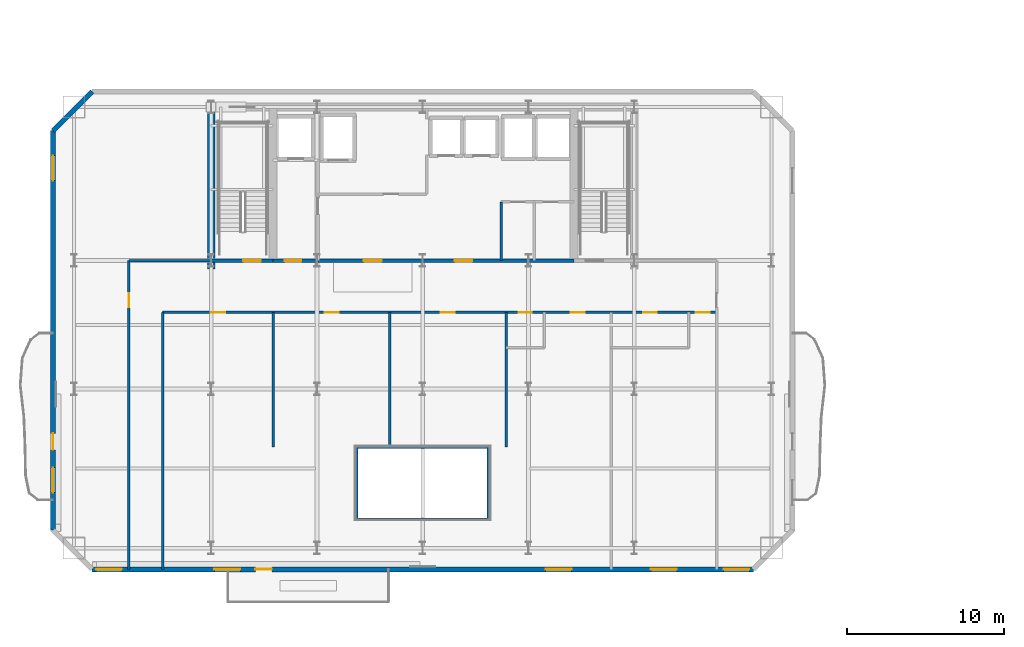
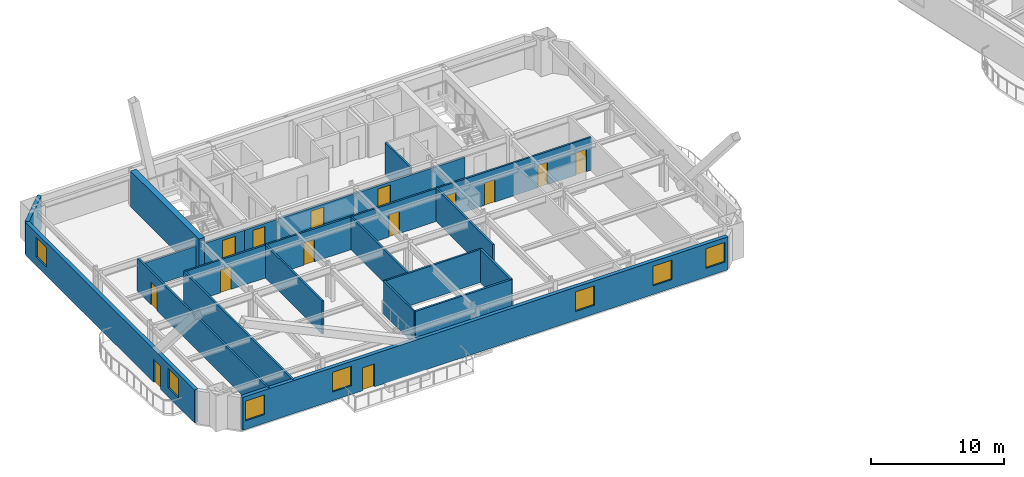
# One storey, part 5 of 15: 19 walls, 14 doors, 7 windows, 21 openings.
"""IFC4 building model written with IfcOpenShell, lengths in metres."""

from ifc_helpers import new_model, si_unit, direction, frame, frame_2d, origin, place, context, subcontext, project, spatial, rectangle, extrude, material, layer, layer_set, type_object, element, fill, save


model = new_model("IFC4")

# Units and contexts
model_context = context("Model", 3, precision=1e-05, world=origin(), true_north=direction((0.0, 1.0)))
body_context = subcontext(model_context, "Body", "Model", "MODEL_VIEW")
ifc_project = project(units=[si_unit("LENGTHUNIT", "METRE"), si_unit("AREAUNIT", "SQUARE_METRE"), si_unit("VOLUMEUNIT", "CUBIC_METRE"), si_unit("PLANEANGLEUNIT", "RADIAN"), si_unit("MASSUNIT", "GRAM", prefix="KILO")], contexts=[model_context])

# Site, building, storey
site_placement = place(None, origin())
site = spatial("IfcSite", under=ifc_project, at=site_placement, CompositionType="ELEMENT")
building_placement = place(site_placement, origin())
building = spatial("IfcBuilding", under=site, at=building_placement, Name="Haevon Station Towers", CompositionType="ELEMENT")
storey_placement = place(building_placement, frame((0.0, 0.0, 103.199951171875)))
storey = spatial("IfcBuildingStorey", under=building, at=storey_placement, Name="L27", CompositionType="ELEMENT", Elevation=103.199951171875)

# Walls
ifc_material_1 = material(Name="Gypsum board on steel stud", Category="steel")
ifc_layer_1 = layer(ifc_material_1, 0.179931640625)
ifc_layer_set_1 = layer_set([ifc_layer_1], Name="Gypsum board on steel stud")
wall_type_1 = type_object("IfcWallType", Name="WL-ACU180", PredefinedType="PARTITIONING", material=ifc_layer_set_1)
wall_1_placement = place(storey_placement, frame((33.300048828125, 21.699951171875, 0.0), z_axis=(0.0, 0.0, 1.0), x_axis=(1.0, 0.0, 0.0)))
element("IfcWall", 1, at=wall_1_placement, inside=storey, type_object=wall_type_1, Name="WL-T1PT-L27-06", PredefinedType="PARTITIONING", context=body_context, shape_type="SweptSolid", body=[
    extrude(rectangle(XDim=8.39990234375, YDim=0.179931640625, at=frame_2d((4.199951171875, 0.0))), origin(), (0.0, 0.0, 1.0), 3.030029296875),
])
wall_2_placement = place(storey_placement, frame((41.699951171875, 21.699951171875, 0.0), z_axis=(0.0, 0.0, 1.0), x_axis=(0.0, 1.0, 0.0)))
element("IfcWall", 2, at=wall_2_placement, inside=storey, type_object=wall_type_1, Name="WL-T1PT-L27-09", PredefinedType="PARTITIONING", context=body_context, shape_type="SweptSolid", body=[
    extrude(rectangle(XDim=4.60009765625, YDim=0.179931640625, at=frame_2d((2.300048828125, 0.0))), origin(), (0.0, 0.0, 1.0), 3.030029296875),
])

# Wall, opening, door
ifc_layer_2 = layer(ifc_material_1, 0.199951171875)
ifc_layer_set_2 = layer_set([ifc_layer_2], Name="Gypsum board on steel stud")
wall_type_2 = type_object("IfcWallType", Name="WL-COR200", PredefinedType="PARTITIONING", material=ifc_layer_set_2)
wall_3_placement = place(storey_placement, frame((24.0, 38.199951171875, 0.0), z_axis=(0.0, 0.0, 1.0), x_axis=(1.0, 0.0, 0.0)))
wall_3 = element("IfcWall", 3, at=wall_3_placement, inside=storey, type_object=wall_type_2, Name="WL-ST-ST1-L27", PredefinedType="PARTITIONING", context=body_context, shape_type="SweptSolid", body=[
    extrude(rectangle(XDim=3.949951171875, YDim=0.199951171875, at=frame_2d((1.97509765625, 0.0))), origin(), (0.0, 0.0, 1.0), 2.380126953125),
])
opening_1_placement = place(wall_3_placement, frame((2.050048828125, 0.0, 0.0)))
opening_1 = element("IfcOpeningElement", 4, at=opening_1_placement, cuts=wall_3, Name="Opening DR-ST-ST1-L27", PredefinedType="OPENING", context=body_context, shape_type="SweptSolid", body=[
    extrude(rectangle(XDim=1.1201171875, YDim=2.10009765625, at=frame_2d((0.56005859375, 1.050048828125))), frame((0.0, 0.10986328125, 0.0), z_axis=(0.0, -1.0, 0.0), x_axis=(1.0, 0.0, 0.0)), (0.0, 0.0, 1.0), 0.219970703125),
])
ifc_material_2 = material(Name="Engineered oak timber", Category="wood")
door_type_1 = type_object("IfcDoorType", Name="DR-ST-1120", OperationType="NOTDEFINED", PredefinedType="DOOR", material=ifc_material_2)
door_1_placement = place(opening_1_placement, origin())
door_1 = element("IfcDoor", 5, at=door_1_placement, inside=storey, type_object=door_type_1, Name="L27 Escape Stair ST1 Fire Door", OperationType="SINGLE_SWING_RIGHT", OverallHeight=2.10009765625, OverallWidth=1.1201171875, PredefinedType="DOOR", context=body_context, shape_type="SweptSolid", body=[
    extrude(rectangle(XDim=1.1201171875, YDim=2.10009765625, at=frame_2d((0.56005859375, 1.050048828125))), frame((0.0, 0.02490234375, 0.0), z_axis=(0.0, -1.0, 0.0), x_axis=(1.0, 0.0, 0.0)), (0.0, 0.0, 1.0), 0.050048828125),
])
fill(opening_1, door_1)

wall_4_placement = place(storey_placement, frame((27.949951171875, 38.199951171875, 0.0), z_axis=(0.0, 0.0, 1.0), x_axis=(1.0, 0.0, 0.0)))
wall_4 = element("IfcWall", 6, at=wall_4_placement, inside=storey, type_object=wall_type_2, Name="WL-T1FFL-L27-S", PredefinedType="PARTITIONING", context=body_context, shape_type="SweptSolid", body=[
    extrude(rectangle(XDim=2.85009765625, YDim=0.199951171875, at=frame_2d((1.425048828125, 0.0))), origin(), (0.0, 0.0, 1.0), 2.380126953125),
])
opening_2_placement = place(wall_4_placement, frame((0.75, 0.0, 0.0)))
opening_2 = element("IfcOpeningElement", 7, at=opening_2_placement, cuts=wall_4, Name="Opening DR-T1FFL-L27-S", PredefinedType="OPENING", context=body_context, shape_type="SweptSolid", body=[
    extrude(rectangle(XDim=1.050048828125, YDim=2.10009765625, at=frame_2d((0.52490234375, 1.050048828125))), frame((0.0, 0.10986328125, 0.0), z_axis=(0.0, -1.0, 0.0), x_axis=(1.0, 0.0, 0.0)), (0.0, 0.0, 1.0), 0.219970703125),
])
door_type_2 = type_object("IfcDoorType", Name="DR-FD60-1050", OperationType="NOTDEFINED", PredefinedType="DOOR", material=ifc_material_2)
door_2_placement = place(opening_2_placement, origin())
door_2 = element("IfcDoor", 8, at=door_2_placement, inside=storey, type_object=door_type_2, Name="L27 Tower 1 Firefighting Lift Lobby Door S", OperationType="SINGLE_SWING_LEFT", OverallHeight=2.10009765625, OverallWidth=1.050048828125, PredefinedType="DOOR", context=body_context, shape_type="SweptSolid", body=[
    extrude(rectangle(XDim=1.050048828125, YDim=2.10009765625, at=frame_2d((0.52490234375, 1.050048828125))), frame((0.0, 0.02490234375, 0.0), z_axis=(0.0, -1.0, 0.0), x_axis=(1.0, 0.0, 0.0)), (0.0, 0.0, 1.0), 0.050048828125),
])
fill(opening_2, door_2)

# Wall, openings, doors
wall_5_placement = place(storey_placement, frame((30.800048828125, 38.199951171875, 0.0), z_axis=(0.0, 0.0, 1.0), x_axis=(1.0, 0.0, 0.0)))
wall_5 = element("IfcWall", 9, at=wall_5_placement, inside=storey, type_object=wall_type_2, Name="WL-T1CLB-L27", PredefinedType="PARTITIONING", context=body_context, shape_type="SweptSolid", body=[
    extrude(rectangle(XDim=16.349853515625, YDim=0.199951171875, at=frame_2d((8.1748046875, 0.0))), origin(), (0.0, 0.0, 1.0), 2.380126953125),
])
opening_3_placement = place(wall_5_placement, frame((2.949951171875, 0.0, 0.0)))
opening_3 = element("IfcOpeningElement", 10, at=opening_3_placement, cuts=wall_5, Name="Opening DR-T1CLB-L27-1", PredefinedType="OPENING", context=body_context, shape_type="SweptSolid", body=[
    extrude(rectangle(XDim=1.1201171875, YDim=2.10009765625, at=frame_2d((0.56005859375, 1.050048828125))), frame((0.0, 0.10986328125, 0.0), z_axis=(0.0, -1.0, 0.0), x_axis=(1.0, 0.0, 0.0)), (0.0, 0.0, 1.0), 0.219970703125),
])
opening_4_placement = place(wall_5_placement, frame((8.75, 0.0, 0.0)))
opening_4 = element("IfcOpeningElement", 11, at=opening_4_placement, cuts=wall_5, Name="Opening DR-T1CLB-L27-2", PredefinedType="OPENING", context=body_context, shape_type="SweptSolid", body=[
    extrude(rectangle(XDim=1.1201171875, YDim=2.10009765625, at=frame_2d((0.56005859375, 1.050048828125))), frame((0.0, 0.10986328125, 0.0), z_axis=(0.0, -1.0, 0.0), x_axis=(1.0, 0.0, 0.0)), (0.0, 0.0, 1.0), 0.219970703125),
])
door_3_placement = place(opening_3_placement, origin())
door_3 = element("IfcDoor", 12, at=door_3_placement, inside=storey, type_object=door_type_1, Name="L27 Tower 1 Core Lift Lobby Door 1", OperationType="SINGLE_SWING_RIGHT", OverallHeight=2.10009765625, OverallWidth=1.1201171875, PredefinedType="DOOR", context=body_context, shape_type="SweptSolid", body=[
    extrude(rectangle(XDim=1.1201171875, YDim=2.10009765625, at=frame_2d((0.56005859375, 1.050048828125))), frame((0.0, 0.02490234375, 0.0), z_axis=(0.0, -1.0, 0.0), x_axis=(1.0, 0.0, 0.0)), (0.0, 0.0, 1.0), 0.050048828125),
])
fill(opening_3, door_3)
door_4_placement = place(opening_4_placement, origin())
door_4 = element("IfcDoor", 13, at=door_4_placement, inside=storey, type_object=door_type_1, Name="L27 Tower 1 Core Lift Lobby Door 2", OperationType="SINGLE_SWING_LEFT", OverallHeight=2.10009765625, OverallWidth=1.1201171875, PredefinedType="DOOR", context=body_context, shape_type="SweptSolid", body=[
    extrude(rectangle(XDim=1.1201171875, YDim=2.10009765625, at=frame_2d((0.56005859375, 1.050048828125))), frame((0.0, 0.02490234375, 0.0), z_axis=(0.0, -1.0, 0.0), x_axis=(1.0, 0.0, 0.0)), (0.0, 0.0, 1.0), 0.050048828125),
])
fill(opening_4, door_4)

# Wall
ifc_material_3 = material(Name="Concrete C60/75", Category="concrete")
ifc_layer_3 = layer(ifc_material_3, 0.5)
ifc_layer_set_3 = layer_set([ifc_layer_3], Name="Concrete C60/75")
wall_type_3 = type_object("IfcWallType", Name="WL-CR500", PredefinedType="SHEAR", material=ifc_layer_set_3)
wall_6_placement = place(storey_placement, frame((24.0, 37.679931640625, 0.0), z_axis=(0.0, 0.0, 1.0), x_axis=(0.0, 1.0, 0.0)))
element("IfcWall", 14, at=wall_6_placement, inside=storey, type_object=wall_type_3, Name="WL-T1CR-L27-W", PredefinedType="SHEAR", context=body_context, shape_type="SweptSolid", body=[
    extrude(rectangle(XDim=10.320068359375, YDim=0.5, at=frame_2d((5.16015625, 0.0))), origin(), (0.0, 0.0, 1.0), 3.300048828125),
])

# Wall, openings, door, windows
ifc_material_4 = material(Name="Precast concrete C45/55", Category="concrete")
ifc_layer_4 = layer(ifc_material_4, 0.320068359375)
ifc_layer_set_4 = layer_set([ifc_layer_4], Name="Precast concrete C45/55")
wall_type_4 = type_object("IfcWallType", Name="WL-EXT-PIER320", PredefinedType="SOLIDWALL", material=ifc_layer_set_4)
wall_7_placement = place(storey_placement, frame((58.60009765625, 18.5, 0.0), z_axis=(0.0, 0.0, 1.0), x_axis=(-1.0, 0.0, 0.0)))
wall_7 = element("IfcWall", 15, at=wall_7_placement, inside=storey, type_object=wall_type_4, Name="WL-T1-L27-S", PredefinedType="SOLIDWALL", context=body_context, shape_type="SweptSolid", body=[
    extrude(rectangle(XDim=42.2001953125, YDim=0.320068359375, at=frame_2d((21.10009765625, 0.0))), origin(), (0.0, 0.0, 1.0), 3.030029296875),
])
opening_5_placement = place(wall_7_placement, frame((30.734375, 0.0, 0.0)))
opening_5 = element("IfcOpeningElement", 16, at=opening_5_placement, cuts=wall_7, Name="Opening DR-T1-PBAND-L27-1", PredefinedType="OPENING", context=body_context, shape_type="SweptSolid", body=[
    extrude(rectangle(XDim=1.050048828125, YDim=2.10009765625, at=frame_2d((0.52490234375, 1.050048828125))), frame((0.0, 0.169921875, 0.0), z_axis=(0.0, -1.0, 0.0), x_axis=(1.0, 0.0, 0.0)), (0.0, 0.0, 1.0), 0.340087890625),
])
opening_6_placement = place(wall_7_placement, frame((40.300048828125, 0.0, 0.800048828125)))
opening_6 = element("IfcOpeningElement", 17, at=opening_6_placement, cuts=wall_7, Name="Opening WN-P165", PredefinedType="OPENING", context=body_context, shape_type="SweptSolid", body=[
    extrude(rectangle(XDim=1.64990234375, YDim=1.800048828125, at=frame_2d((0.824951171875, 0.89990234375))), frame((0.0, 0.169921875, 0.0), z_axis=(0.0, -1.0, 0.0), x_axis=(1.0, 0.0, 0.0)), (0.0, 0.0, 1.0), 0.340087890625),
])
opening_7_placement = place(wall_7_placement, frame((0.25, 0.0, 0.800048828125)))
opening_7 = element("IfcOpeningElement", 18, at=opening_7_placement, cuts=wall_7, Name="Opening WN-P165", PredefinedType="OPENING", context=body_context, shape_type="SweptSolid", body=[
    extrude(rectangle(XDim=1.64990234375, YDim=1.800048828125, at=frame_2d((0.824951171875, 0.89990234375))), frame((0.0, 0.169921875, 0.0), z_axis=(0.0, -1.0, 0.0), x_axis=(1.0, 0.0, 0.0)), (0.0, 0.0, 1.0), 0.340087890625),
])
opening_8_placement = place(wall_7_placement, frame((32.743896484375, 0.0, 0.800048828125)))
opening_8 = element("IfcOpeningElement", 19, at=opening_8_placement, cuts=wall_7, Name="Opening WN-P165", PredefinedType="OPENING", context=body_context, shape_type="SweptSolid", body=[
    extrude(rectangle(XDim=1.64990234375, YDim=1.800048828125, at=frame_2d((0.824951171875, 0.89990234375))), frame((0.0, 0.169921875, 0.0), z_axis=(0.0, -1.0, 0.0), x_axis=(1.0, 0.0, 0.0)), (0.0, 0.0, 1.0), 0.340087890625),
])
opening_9_placement = place(wall_7_placement, frame((11.599853515625, 0.0, 0.800048828125)))
opening_9 = element("IfcOpeningElement", 20, at=opening_9_placement, cuts=wall_7, Name="Opening WN-P165", PredefinedType="OPENING", context=body_context, shape_type="SweptSolid", body=[
    extrude(rectangle(XDim=1.64990234375, YDim=1.800048828125, at=frame_2d((0.824951171875, 0.89990234375))), frame((0.0, 0.169921875, 0.0), z_axis=(0.0, -1.0, 0.0), x_axis=(1.0, 0.0, 0.0)), (0.0, 0.0, 1.0), 0.340087890625),
])
opening_10_placement = place(wall_7_placement, frame((4.88330078125, 0.0, 0.800048828125)))
opening_10 = element("IfcOpeningElement", 21, at=opening_10_placement, cuts=wall_7, Name="Opening WN-P165", PredefinedType="OPENING", context=body_context, shape_type="SweptSolid", body=[
    extrude(rectangle(XDim=1.64990234375, YDim=1.800048828125, at=frame_2d((0.824951171875, 0.89990234375))), frame((0.0, 0.169921875, 0.0), z_axis=(0.0, -1.0, 0.0), x_axis=(1.0, 0.0, 0.0)), (0.0, 0.0, 1.0), 0.340087890625),
])
ifc_material_5 = material(Name="Thermally broken anodised aluminium and laminated safety glass", Category="aluminium")
door_type_3 = type_object("IfcDoorType", Name="DR-BALC-1050", OperationType="NOTDEFINED", PredefinedType="DOOR", material=ifc_material_5)
door_5_placement = place(opening_5_placement, origin())
door_5 = element("IfcDoor", 22, at=door_5_placement, inside=storey, type_object=door_type_3, Name="Tower 1 L27 Balcony Terrace Door", OperationType="SINGLE_SWING_LEFT", OverallHeight=2.10009765625, OverallWidth=1.050048828125, PredefinedType="DOOR", context=body_context, shape_type="SweptSolid", body=[
    extrude(rectangle(XDim=1.050048828125, YDim=2.10009765625, at=frame_2d((0.52490234375, 1.050048828125))), frame((0.0, 0.02490234375, 0.0), z_axis=(0.0, -1.0, 0.0), x_axis=(1.0, 0.0, 0.0)), (0.0, 0.0, 1.0), 0.050048828125),
])
fill(opening_5, door_5)
ifc_material_6 = material(Name="Low-E triple glazing in thermally broken aluminium", Category="aluminium")
window_type_1 = type_object("IfcWindowType", Name="WN-P165", PartitioningType="SINGLE_PANEL", PredefinedType="WINDOW", material=ifc_material_6)
window_1_placement = place(opening_6_placement, origin())
window_1 = element("IfcWindow", 23, at=window_1_placement, inside=storey, type_object=window_type_1, Name="WN-T1-L27-S01", OverallHeight=1.800048828125, OverallWidth=1.64990234375, PartitioningType="SINGLE_PANEL", PredefinedType="WINDOW", context=body_context, shape_type="SweptSolid", body=[
    extrude(rectangle(XDim=1.64990234375, YDim=1.800048828125, at=frame_2d((0.824951171875, 0.89990234375))), frame((0.0, 0.030029296875, 0.0), z_axis=(0.0, -1.0, 0.0), x_axis=(1.0, 0.0, 0.0)), (0.0, 0.0, 1.0), 0.06005859375),
])
fill(opening_6, window_1)
window_2_placement = place(opening_7_placement, origin())
window_2 = element("IfcWindow", 24, at=window_2_placement, inside=storey, type_object=window_type_1, Name="WN-T1-L27-S02", OverallHeight=1.800048828125, OverallWidth=1.64990234375, PartitioningType="SINGLE_PANEL", PredefinedType="WINDOW", context=body_context, shape_type="SweptSolid", body=[
    extrude(rectangle(XDim=1.64990234375, YDim=1.800048828125, at=frame_2d((0.824951171875, 0.89990234375))), frame((0.0, 0.030029296875, 0.0), z_axis=(0.0, -1.0, 0.0), x_axis=(1.0, 0.0, 0.0)), (0.0, 0.0, 1.0), 0.06005859375),
])
fill(opening_7, window_2)
window_3_placement = place(opening_8_placement, origin())
window_3 = element("IfcWindow", 25, at=window_3_placement, inside=storey, type_object=window_type_1, Name="WN-T1-L27-S03", OverallHeight=1.800048828125, OverallWidth=1.64990234375, PartitioningType="SINGLE_PANEL", PredefinedType="WINDOW", context=body_context, shape_type="SweptSolid", body=[
    extrude(rectangle(XDim=1.64990234375, YDim=1.800048828125, at=frame_2d((0.824951171875, 0.89990234375))), frame((0.0, 0.030029296875, 0.0), z_axis=(0.0, -1.0, 0.0), x_axis=(1.0, 0.0, 0.0)), (0.0, 0.0, 1.0), 0.06005859375),
])
fill(opening_8, window_3)
window_4_placement = place(opening_9_placement, origin())
window_4 = element("IfcWindow", 26, at=window_4_placement, inside=storey, type_object=window_type_1, Name="WN-T1-L27-S04", OverallHeight=1.800048828125, OverallWidth=1.64990234375, PartitioningType="SINGLE_PANEL", PredefinedType="WINDOW", context=body_context, shape_type="SweptSolid", body=[
    extrude(rectangle(XDim=1.64990234375, YDim=1.800048828125, at=frame_2d((0.824951171875, 0.89990234375))), frame((0.0, 0.030029296875, 0.0), z_axis=(0.0, -1.0, 0.0), x_axis=(1.0, 0.0, 0.0)), (0.0, 0.0, 1.0), 0.06005859375),
])
fill(opening_9, window_4)
window_5_placement = place(opening_10_placement, origin())
window_5 = element("IfcWindow", 27, at=window_5_placement, inside=storey, type_object=window_type_1, Name="WN-T1-L27-S05", OverallHeight=1.800048828125, OverallWidth=1.64990234375, PartitioningType="SINGLE_PANEL", PredefinedType="WINDOW", context=body_context, shape_type="SweptSolid", body=[
    extrude(rectangle(XDim=1.64990234375, YDim=1.800048828125, at=frame_2d((0.824951171875, 0.89990234375))), frame((0.0, 0.030029296875, 0.0), z_axis=(0.0, -1.0, 0.0), x_axis=(1.0, 0.0, 0.0)), (0.0, 0.0, 1.0), 0.06005859375),
])
fill(opening_10, window_5)

wall_8_placement = place(storey_placement, frame((13.89990234375, 21.0, 0.0), z_axis=(0.0, 0.0, 1.0), x_axis=(0.0, 1.0, 0.0)))
wall_8 = element("IfcWall", 28, at=wall_8_placement, inside=storey, type_object=wall_type_4, Name="WL-T1-L27-W", PredefinedType="SOLIDWALL", context=body_context, shape_type="SweptSolid", body=[
    extrude(rectangle(XDim=25.5, YDim=0.320068359375, at=frame_2d((12.75, 0.0))), origin(), (0.0, 0.0, 1.0), 3.030029296875),
])
opening_11_placement = place(wall_8_placement, frame((5.125, 0.0, 0.0)))
opening_11 = element("IfcOpeningElement", 29, at=opening_11_placement, cuts=wall_8, Name="Opening DR-T1-SCAL-L27-W", PredefinedType="OPENING", context=body_context, shape_type="SweptSolid", body=[
    extrude(rectangle(XDim=1.050048828125, YDim=2.10009765625, at=frame_2d((0.52490234375, 1.050048828125))), frame((0.0, 0.169921875, 0.0), z_axis=(0.0, -1.0, 0.0), x_axis=(1.0, 0.0, 0.0)), (0.0, 0.0, 1.0), 0.340087890625),
])
opening_12_placement = place(wall_8_placement, frame((2.392822265625, 0.0, 0.800048828125)))
opening_12 = element("IfcOpeningElement", 30, at=opening_12_placement, cuts=wall_8, Name="Opening WN-END160", PredefinedType="OPENING", context=body_context, shape_type="SweptSolid", body=[
    extrude(rectangle(XDim=1.60009765625, YDim=1.800048828125, at=frame_2d((0.800048828125, 0.89990234375))), frame((0.0, 0.169921875, 0.0), z_axis=(0.0, -1.0, 0.0), x_axis=(1.0, 0.0, 0.0)), (0.0, 0.0, 1.0), 0.340087890625),
])
opening_13_placement = place(wall_8_placement, frame((22.3037109375, 0.0, 0.800048828125)))
opening_13 = element("IfcOpeningElement", 31, at=opening_13_placement, cuts=wall_8, Name="Opening WN-END160", PredefinedType="OPENING", context=body_context, shape_type="SweptSolid", body=[
    extrude(rectangle(XDim=1.60009765625, YDim=1.800048828125, at=frame_2d((0.800048828125, 0.89990234375))), frame((0.0, 0.169921875, 0.0), z_axis=(0.0, -1.0, 0.0), x_axis=(1.0, 0.0, 0.0)), (0.0, 0.0, 1.0), 0.340087890625),
])
door_6_placement = place(opening_11_placement, origin())
door_6 = element("IfcDoor", 32, at=door_6_placement, inside=storey, type_object=door_type_3, Name="Tower 1 L27 West Scalloped Balcony Door", OperationType="SINGLE_SWING_RIGHT", OverallHeight=2.10009765625, OverallWidth=1.050048828125, PredefinedType="DOOR", context=body_context, shape_type="SweptSolid", body=[
    extrude(rectangle(XDim=1.050048828125, YDim=2.10009765625, at=frame_2d((0.52490234375, 1.050048828125))), frame((0.0, 0.02490234375, 0.0), z_axis=(0.0, -1.0, 0.0), x_axis=(1.0, 0.0, 0.0)), (0.0, 0.0, 1.0), 0.050048828125),
])
fill(opening_11, door_6)
window_type_2 = type_object("IfcWindowType", Name="WN-END160", PartitioningType="SINGLE_PANEL", PredefinedType="WINDOW", material=ifc_material_6)
window_6_placement = place(opening_12_placement, origin())
window_6 = element("IfcWindow", 33, at=window_6_placement, inside=storey, type_object=window_type_2, Name="WN-T1-L27-W01", OverallHeight=1.800048828125, OverallWidth=1.60009765625, PartitioningType="SINGLE_PANEL", PredefinedType="WINDOW", context=body_context, shape_type="SweptSolid", body=[
    extrude(rectangle(XDim=1.60009765625, YDim=1.800048828125, at=frame_2d((0.800048828125, 0.89990234375))), frame((0.0, 0.030029296875, 0.0), z_axis=(0.0, -1.0, 0.0), x_axis=(1.0, 0.0, 0.0)), (0.0, 0.0, 1.0), 0.06005859375),
])
fill(opening_12, window_6)
window_7_placement = place(opening_13_placement, origin())
window_7 = element("IfcWindow", 34, at=window_7_placement, inside=storey, type_object=window_type_2, Name="WN-T1-L27-W02", OverallHeight=1.800048828125, OverallWidth=1.60009765625, PartitioningType="SINGLE_PANEL", PredefinedType="WINDOW", context=body_context, shape_type="SweptSolid", body=[
    extrude(rectangle(XDim=1.60009765625, YDim=1.800048828125, at=frame_2d((0.800048828125, 0.89990234375))), frame((0.0, 0.030029296875, 0.0), z_axis=(0.0, -1.0, 0.0), x_axis=(1.0, 0.0, 0.0)), (0.0, 0.0, 1.0), 0.06005859375),
])
fill(opening_13, window_7)

# Walls
wall_9_placement = place(storey_placement, frame((13.89990234375, 46.5, 0.0), z_axis=(0.0, 0.0, 1.0), x_axis=(0.707106781187, 0.707106781187, 0.0)))
element("IfcWall", 35, at=wall_9_placement, inside=storey, type_object=wall_type_4, Name="WL-T1-L27-NWC", PredefinedType="SOLIDWALL", context=body_context, shape_type="SweptSolid", body=[
    extrude(rectangle(XDim=3.53564453125, YDim=0.320068359375, at=frame_2d((1.767822265625, 0.0))), origin(), (0.0, 0.0, 1.0), 3.030029296875),
])
ifc_layer_5 = layer(ifc_material_1, 0.159912109375)
ifc_layer_set_5 = layer_set([ifc_layer_5], Name="Gypsum board on steel stud")
wall_type_5 = type_object("IfcWallType", Name="WL-PRT160", PredefinedType="PARTITIONING", material=ifc_layer_set_5)
wall_10_placement = place(storey_placement, frame((42.5, 38.199951171875, 0.0), z_axis=(0.0, 0.0, 1.0), x_axis=(0.0, 1.0, 0.0)))
element("IfcWall", 36, at=wall_10_placement, inside=storey, type_object=wall_type_5, Name="WL-T1CW-L27-04", PredefinedType="PARTITIONING", context=body_context, shape_type="SweptSolid", body=[
    extrude(rectangle(XDim=3.75, YDim=0.159912109375, at=frame_2d((1.875, 0.0))), origin(), (0.0, 0.0, 1.0), 3.030029296875),
])
wall_11_placement = place(storey_placement, frame((20.89990234375, 18.5, 0.0), z_axis=(0.0, 0.0, 1.0), x_axis=(0.0, 1.0, 0.0)))
element("IfcWall", 37, at=wall_11_placement, inside=storey, type_object=wall_type_5, Name="WL-T1PT-L27-01", PredefinedType="PARTITIONING", context=body_context, shape_type="SweptSolid", body=[
    extrude(rectangle(XDim=16.39990234375, YDim=0.159912109375, at=frame_2d((8.199951171875, 0.0))), origin(), (0.0, 0.0, 1.0), 3.030029296875),
])
wall_12_placement = place(storey_placement, frame((18.75, 38.199951171875, 0.0), z_axis=(0.0, 0.0, 1.0), x_axis=(1.0, 0.0, 0.0)))
element("IfcWall", 38, at=wall_12_placement, inside=storey, type_object=wall_type_5, Name="WL-T1PT-L27-02", PredefinedType="PARTITIONING", context=body_context, shape_type="SweptSolid", body=[
    extrude(rectangle(XDim=5.25, YDim=0.159912109375, at=frame_2d((2.625, 0.0))), origin(), (0.0, 0.0, 1.0), 2.380126953125),
])

# Wall, opening, door
wall_13_placement = place(storey_placement, frame((18.75, 18.5, 0.0), z_axis=(0.0, 0.0, 1.0), x_axis=(0.0, 1.0, 0.0)))
wall_13 = element("IfcWall", 39, at=wall_13_placement, inside=storey, type_object=wall_type_5, Name="WL-T1PT-L27-04", PredefinedType="PARTITIONING", context=body_context, shape_type="SweptSolid", body=[
    extrude(rectangle(XDim=19.699951171875, YDim=0.159912109375, at=frame_2d((9.85009765625, 0.0))), origin(), (0.0, 0.0, 1.0), 3.030029296875),
])
opening_14_placement = place(wall_13_placement, frame((16.719970703125, 0.0, 0.0)))
opening_14 = element("IfcOpeningElement", 40, at=opening_14_placement, cuts=wall_13, Name="Opening DR-WL-T1PT-L27-04-01", PredefinedType="OPENING", context=body_context, shape_type="SweptSolid", body=[
    extrude(rectangle(XDim=0.89990234375, YDim=2.050048828125, at=frame_2d((0.449951171875, 1.02490234375))), frame((0.0, 0.08984375, 0.0), z_axis=(0.0, -1.0, 0.0), x_axis=(1.0, 0.0, 0.0)), (0.0, 0.0, 1.0), 0.179931640625),
])
door_type_4 = type_object("IfcDoorType", Name="DR-INT-900", OperationType="NOTDEFINED", PredefinedType="DOOR", material=ifc_material_2)
door_7_placement = place(opening_14_placement, origin())
door_7 = element("IfcDoor", 41, at=door_7_placement, inside=storey, type_object=door_type_4, Name="L27 Tower 1 Room Door 4-1", OperationType="SINGLE_SWING_LEFT", OverallHeight=2.050048828125, OverallWidth=0.89990234375, PredefinedType="DOOR", context=body_context, shape_type="SweptSolid", body=[
    extrude(rectangle(XDim=0.89990234375, YDim=2.050048828125, at=frame_2d((0.449951171875, 1.02490234375))), frame((0.0, 0.02490234375, 0.0), z_axis=(0.0, -1.0, 0.0), x_axis=(1.0, 0.0, 0.0)), (0.0, 0.0, 1.0), 0.050048828125),
])
fill(opening_14, door_7)

# Walls
wall_14_placement = place(storey_placement, frame((33.300048828125, 26.300048828125, 0.0), z_axis=(0.0, 0.0, 1.0), x_axis=(1.0, 0.0, 0.0)))
element("IfcWall", 42, at=wall_14_placement, inside=storey, type_object=wall_type_5, Name="WL-T1PT-L27-07", PredefinedType="PARTITIONING", context=body_context, shape_type="SweptSolid", body=[
    extrude(rectangle(XDim=8.39990234375, YDim=0.159912109375, at=frame_2d((4.199951171875, 0.0))), origin(), (0.0, 0.0, 1.0), 3.030029296875),
])
wall_15_placement = place(storey_placement, frame((33.300048828125, 21.699951171875, 0.0), z_axis=(0.0, 0.0, 1.0), x_axis=(0.0, 1.0, 0.0)))
element("IfcWall", 43, at=wall_15_placement, inside=storey, type_object=wall_type_5, Name="WL-T1PT-L27-08", PredefinedType="PARTITIONING", context=body_context, shape_type="SweptSolid", body=[
    extrude(rectangle(XDim=4.60009765625, YDim=0.159912109375, at=frame_2d((2.300048828125, 0.0))), origin(), (0.0, 0.0, 1.0), 3.030029296875),
])
for number, where, z_axis, x_axis, name in (
    (44, (27.969970703125, 26.300048828125, 0.0), (0.0, 0.0, 1.0), (0.0, 1.0, 0.0), "WL-T1PT-L27-10"),
    (45, (35.3935546875, 26.300048828125, 0.0), (0.0, 0.0, 1.0), (0.0, 1.0, 0.0), "WL-T1PT-L27-11"),
    (46, (42.81689453125, 26.300048828125, 0.0), (0.0, 0.0, 1.0), (0.0, 1.0, 0.0), "WL-T1PT-L27-13"),
):
    element("IfcWall", number, at=place(storey_placement, frame(where, z_axis=z_axis, x_axis=x_axis)), inside=storey, type_object=wall_type_5, Name=name, PredefinedType="PARTITIONING", context=body_context, shape_type="SweptSolid", body=[
        extrude(rectangle(XDim=8.599853515625, YDim=0.159912109375, at=frame_2d((4.2998046875, 0.0))), origin(), (0.0, 0.0, 1.0), 3.030029296875),
    ])

# Wall, openings, doors
wall_16_placement = place(storey_placement, frame((20.89990234375, 34.89990234375, 0.0), z_axis=(0.0, 0.0, 1.0), x_axis=(1.0, 0.0, 0.0)))
wall_16 = element("IfcWall", 47, at=wall_16_placement, inside=storey, type_object=wall_type_5, Name="WL-T1PT-L27-20", PredefinedType="PARTITIONING", context=body_context, shape_type="SweptSolid", body=[
    extrude(rectangle(XDim=35.35009765625, YDim=0.159912109375, at=frame_2d((17.675048828125, 0.0))), origin(), (0.0, 0.0, 1.0), 3.030029296875),
])
opening_15_placement = place(wall_16_placement, frame((3.06005859375, 0.0, 0.0)))
opening_15 = element("IfcOpeningElement", 48, at=opening_15_placement, cuts=wall_16, Name="Opening DR-WL-T1PT-L27-20-01", PredefinedType="OPENING", context=body_context, shape_type="SweptSolid", body=[
    extrude(rectangle(XDim=0.949951171875, YDim=2.10009765625, at=frame_2d((0.47509765625, 1.050048828125))), frame((0.0, 0.08984375, 0.0), z_axis=(0.0, -1.0, 0.0), x_axis=(1.0, 0.0, 0.0)), (0.0, 0.0, 1.0), 0.179931640625),
])
opening_16_placement = place(wall_16_placement, frame((10.33203125, 0.0, 0.0)))
opening_16 = element("IfcOpeningElement", 49, at=opening_16_placement, cuts=wall_16, Name="Opening DR-WL-T1PT-L27-20-02", PredefinedType="OPENING", context=body_context, shape_type="SweptSolid", body=[
    extrude(rectangle(XDim=0.89990234375, YDim=2.050048828125, at=frame_2d((0.449951171875, 1.02490234375))), frame((0.0, 0.08984375, 0.0), z_axis=(0.0, -1.0, 0.0), x_axis=(1.0, 0.0, 0.0)), (0.0, 0.0, 1.0), 0.179931640625),
])
opening_17_placement = place(wall_16_placement, frame((17.7548828125, 0.0, 0.0)))
opening_17 = element("IfcOpeningElement", 50, at=opening_17_placement, cuts=wall_16, Name="Opening DR-WL-T1PT-L27-20-03", PredefinedType="OPENING", context=body_context, shape_type="SweptSolid", body=[
    extrude(rectangle(XDim=0.89990234375, YDim=2.050048828125, at=frame_2d((0.449951171875, 1.02490234375))), frame((0.0, 0.08984375, 0.0), z_axis=(0.0, -1.0, 0.0), x_axis=(1.0, 0.0, 0.0)), (0.0, 0.0, 1.0), 0.179931640625),
])
opening_18_placement = place(wall_16_placement, frame((22.717041015625, 0.0, 0.0)))
opening_18 = element("IfcOpeningElement", 51, at=opening_18_placement, cuts=wall_16, Name="Opening DR-WL-T1PT-L27-20-04", PredefinedType="OPENING", context=body_context, shape_type="SweptSolid", body=[
    extrude(rectangle(XDim=0.85009765625, YDim=2.050048828125, at=frame_2d((0.425048828125, 1.02490234375))), frame((0.0, 0.08984375, 0.0), z_axis=(0.0, -1.0, 0.0), x_axis=(1.0, 0.0, 0.0)), (0.0, 0.0, 1.0), 0.179931640625),
])
opening_19_placement = place(wall_16_placement, frame((26.050048828125, 0.0, 0.0)))
opening_19 = element("IfcOpeningElement", 52, at=opening_19_placement, cuts=wall_16, Name="Opening DR-WL-T1PT-L27-20-05", PredefinedType="OPENING", context=body_context, shape_type="SweptSolid", body=[
    extrude(rectangle(XDim=0.89990234375, YDim=2.050048828125, at=frame_2d((0.449951171875, 1.02490234375))), frame((0.0, 0.08984375, 0.0), z_axis=(0.0, -1.0, 0.0), x_axis=(1.0, 0.0, 0.0)), (0.0, 0.0, 1.0), 0.179931640625),
])
opening_20_placement = place(wall_16_placement, frame((30.677001953125, 0.0, 0.0)))
opening_20 = element("IfcOpeningElement", 53, at=opening_20_placement, cuts=wall_16, Name="Opening DR-WL-T1PT-L27-20-06", PredefinedType="OPENING", context=body_context, shape_type="SweptSolid", body=[
    extrude(rectangle(XDim=0.85009765625, YDim=2.050048828125, at=frame_2d((0.425048828125, 1.02490234375))), frame((0.0, 0.08984375, 0.0), z_axis=(0.0, -1.0, 0.0), x_axis=(1.0, 0.0, 0.0)), (0.0, 0.0, 1.0), 0.179931640625),
])
opening_21_placement = place(wall_16_placement, frame((34.010009765625, 0.0, 0.0)))
opening_21 = element("IfcOpeningElement", 54, at=opening_21_placement, cuts=wall_16, Name="Opening DR-WL-T1PT-L27-20-07", PredefinedType="OPENING", context=body_context, shape_type="SweptSolid", body=[
    extrude(rectangle(XDim=0.89990234375, YDim=2.050048828125, at=frame_2d((0.449951171875, 1.02490234375))), frame((0.0, 0.08984375, 0.0), z_axis=(0.0, -1.0, 0.0), x_axis=(1.0, 0.0, 0.0)), (0.0, 0.0, 1.0), 0.179931640625),
])
door_type_5 = type_object("IfcDoorType", Name="DR-FD30-850", OperationType="NOTDEFINED", PredefinedType="DOOR", material=ifc_material_2)
door_8_placement = place(opening_18_placement, origin())
door_8 = element("IfcDoor", 55, at=door_8_placement, inside=storey, type_object=door_type_5, Name="L27 Tower 1 Room Door 20-4", OperationType="SINGLE_SWING_RIGHT", OverallHeight=2.050048828125, OverallWidth=0.85009765625, PredefinedType="DOOR", context=body_context, shape_type="SweptSolid", body=[
    extrude(rectangle(XDim=0.85009765625, YDim=2.050048828125, at=frame_2d((0.425048828125, 1.02490234375))), frame((0.0, 0.02490234375, 0.0), z_axis=(0.0, -1.0, 0.0), x_axis=(1.0, 0.0, 0.0)), (0.0, 0.0, 1.0), 0.050048828125),
])
fill(opening_18, door_8)
door_9_placement = place(opening_20_placement, origin())
door_9 = element("IfcDoor", 56, at=door_9_placement, inside=storey, type_object=door_type_5, Name="L27 Tower 1 Room Door 20-6", OperationType="SINGLE_SWING_RIGHT", OverallHeight=2.050048828125, OverallWidth=0.85009765625, PredefinedType="DOOR", context=body_context, shape_type="SweptSolid", body=[
    extrude(rectangle(XDim=0.85009765625, YDim=2.050048828125, at=frame_2d((0.425048828125, 1.02490234375))), frame((0.0, 0.02490234375, 0.0), z_axis=(0.0, -1.0, 0.0), x_axis=(1.0, 0.0, 0.0)), (0.0, 0.0, 1.0), 0.050048828125),
])
fill(opening_20, door_9)
door_type_6 = type_object("IfcDoorType", Name="DR-FD30-950", OperationType="NOTDEFINED", PredefinedType="DOOR", material=ifc_material_2)
door_10_placement = place(opening_15_placement, origin())
door_10 = element("IfcDoor", 57, at=door_10_placement, inside=storey, type_object=door_type_6, Name="L27 Tower 1 Room Door 20-1", OperationType="SINGLE_SWING_LEFT", OverallHeight=2.10009765625, OverallWidth=0.949951171875, PredefinedType="DOOR", context=body_context, shape_type="SweptSolid", body=[
    extrude(rectangle(XDim=0.949951171875, YDim=2.10009765625, at=frame_2d((0.47509765625, 1.050048828125))), frame((0.0, 0.02490234375, 0.0), z_axis=(0.0, -1.0, 0.0), x_axis=(1.0, 0.0, 0.0)), (0.0, 0.0, 1.0), 0.050048828125),
])
fill(opening_15, door_10)
door_11_placement = place(opening_16_placement, origin())
door_11 = element("IfcDoor", 58, at=door_11_placement, inside=storey, type_object=door_type_4, Name="L27 Tower 1 Room Door 20-2", OperationType="SINGLE_SWING_RIGHT", OverallHeight=2.050048828125, OverallWidth=0.89990234375, PredefinedType="DOOR", context=body_context, shape_type="SweptSolid", body=[
    extrude(rectangle(XDim=0.89990234375, YDim=2.050048828125, at=frame_2d((0.449951171875, 1.02490234375))), frame((0.0, 0.02490234375, 0.0), z_axis=(0.0, -1.0, 0.0), x_axis=(1.0, 0.0, 0.0)), (0.0, 0.0, 1.0), 0.050048828125),
])
fill(opening_16, door_11)
door_12_placement = place(opening_17_placement, origin())
door_12 = element("IfcDoor", 59, at=door_12_placement, inside=storey, type_object=door_type_4, Name="L27 Tower 1 Room Door 20-3", OperationType="SINGLE_SWING_LEFT", OverallHeight=2.050048828125, OverallWidth=0.89990234375, PredefinedType="DOOR", context=body_context, shape_type="SweptSolid", body=[
    extrude(rectangle(XDim=0.89990234375, YDim=2.050048828125, at=frame_2d((0.449951171875, 1.02490234375))), frame((0.0, 0.02490234375, 0.0), z_axis=(0.0, -1.0, 0.0), x_axis=(1.0, 0.0, 0.0)), (0.0, 0.0, 1.0), 0.050048828125),
])
fill(opening_17, door_12)
door_13_placement = place(opening_19_placement, origin())
door_13 = element("IfcDoor", 60, at=door_13_placement, inside=storey, type_object=door_type_4, Name="L27 Tower 1 Room Door 20-5", OperationType="SINGLE_SWING_LEFT", OverallHeight=2.050048828125, OverallWidth=0.89990234375, PredefinedType="DOOR", context=body_context, shape_type="SweptSolid", body=[
    extrude(rectangle(XDim=0.89990234375, YDim=2.050048828125, at=frame_2d((0.449951171875, 1.02490234375))), frame((0.0, 0.02490234375, 0.0), z_axis=(0.0, -1.0, 0.0), x_axis=(1.0, 0.0, 0.0)), (0.0, 0.0, 1.0), 0.050048828125),
])
fill(opening_19, door_13)
door_14_placement = place(opening_21_placement, origin())
door_14 = element("IfcDoor", 61, at=door_14_placement, inside=storey, type_object=door_type_4, Name="L27 Tower 1 Room Door 20-7", OperationType="SINGLE_SWING_LEFT", OverallHeight=2.050048828125, OverallWidth=0.89990234375, PredefinedType="DOOR", context=body_context, shape_type="SweptSolid", body=[
    extrude(rectangle(XDim=0.89990234375, YDim=2.050048828125, at=frame_2d((0.449951171875, 1.02490234375))), frame((0.0, 0.02490234375, 0.0), z_axis=(0.0, -1.0, 0.0), x_axis=(1.0, 0.0, 0.0)), (0.0, 0.0, 1.0), 0.050048828125),
])
fill(opening_21, door_14)

save(model, "model.ifc")
